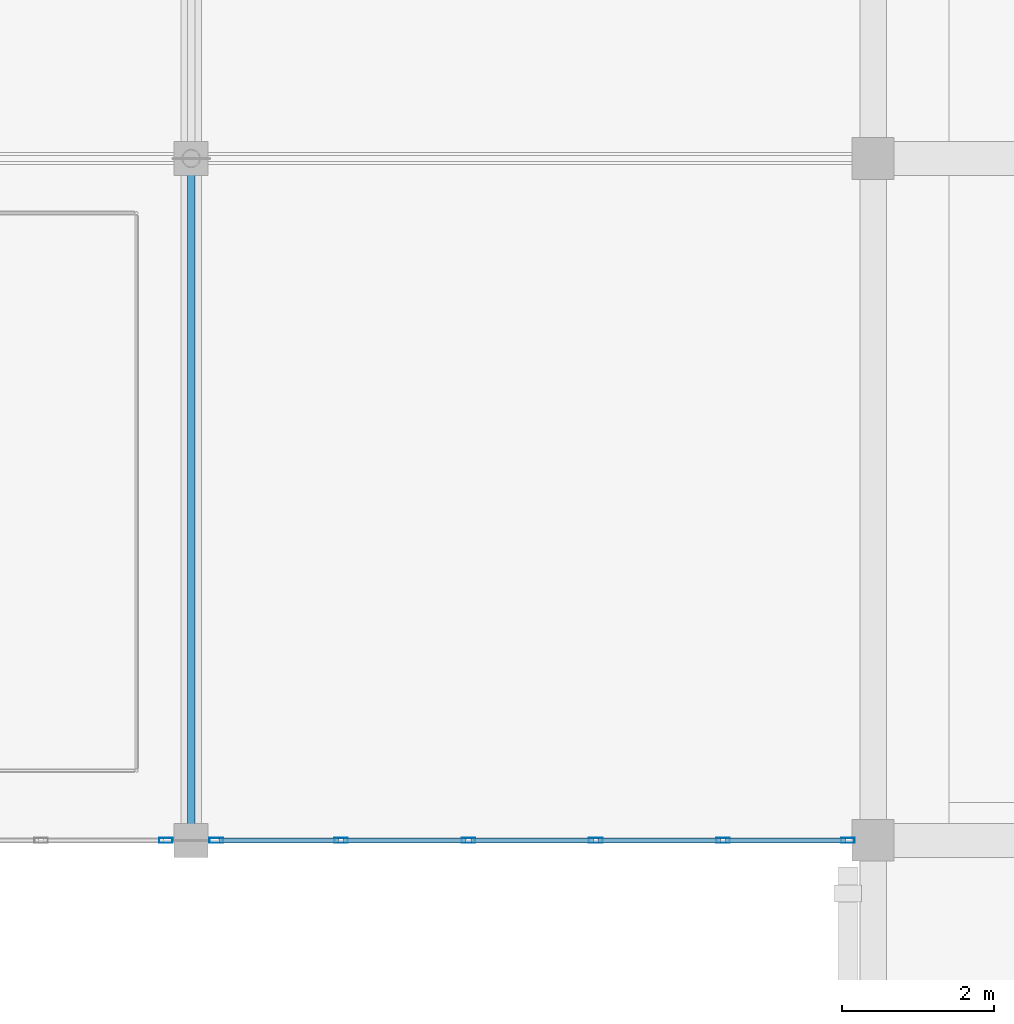
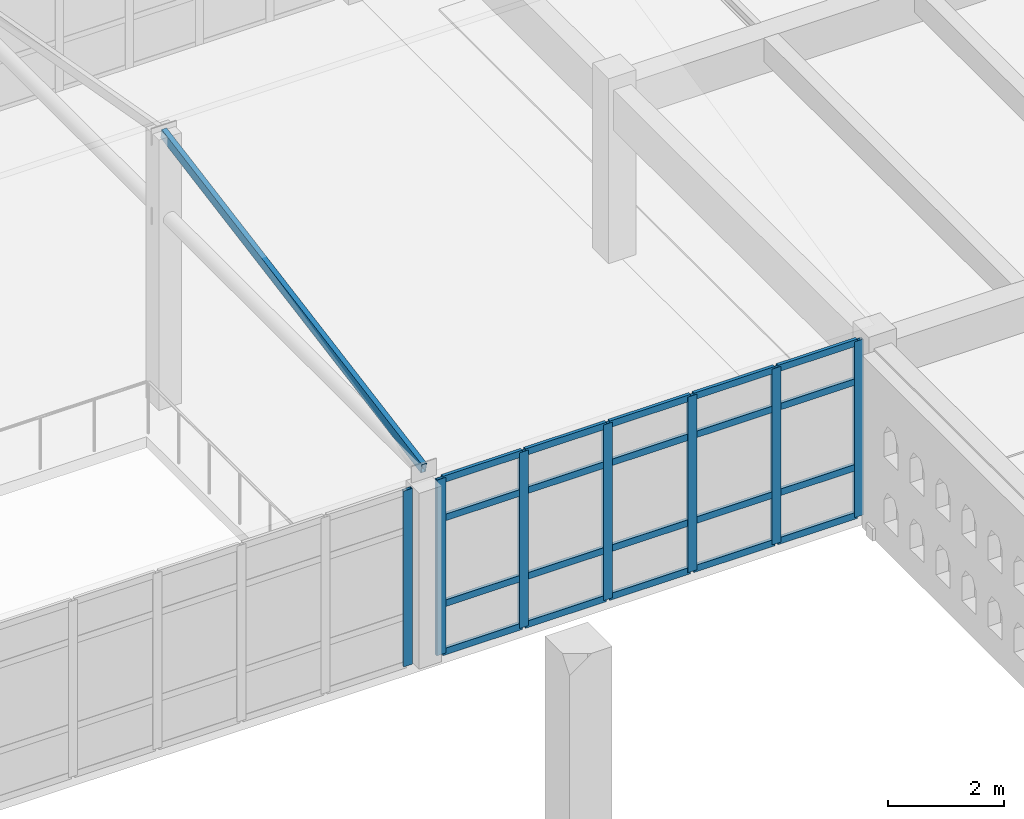
# One storey, part 94 of 156: 28 members, 2 elements without a shape of their own.
"""IFC4 building model written with IfcOpenShell, lengths in metres."""

from ifc_helpers import new_model, si_unit, direction, frame, origin, origin_2d, place, context, subcontext, project, spatial, hollow_rectangle, extrude, material, layer, layer_set, material_profile, profile_set, type_object, element, aggregate, save


model = new_model("IFC4")

# Units and contexts
model_context = context("Model", 3, precision=1e-05, world=origin(), true_north=direction((0.0, 1.0)))
body_context = subcontext(model_context, "Body", "Model", "MODEL_VIEW")
ifc_project = project(units=[si_unit("LENGTHUNIT", "METRE"), si_unit("AREAUNIT", "SQUARE_METRE"), si_unit("VOLUMEUNIT", "CUBIC_METRE"), si_unit("PLANEANGLEUNIT", "RADIAN"), si_unit("MASSUNIT", "GRAM", prefix="KILO")], contexts=[model_context])

# Site, building, storey
site_placement = place(None, origin())
site = spatial("IfcSite", under=ifc_project, at=site_placement, CompositionType="ELEMENT")
building_placement = place(site_placement, origin())
building = spatial("IfcBuilding", under=site, at=building_placement, Name="Ornek Quay Market", CompositionType="ELEMENT")
storey_placement = place(building_placement, frame((0.0, 0.0, 4.5)))
storey = spatial("IfcBuildingStorey", under=building, at=storey_placement, Name="L01", CompositionType="ELEMENT", Elevation=4.5)

# Curtain wall, member
ifc_material_1 = material(Name="Anodised bronze aluminium and triple low-e glass", Category="aluminium")
ifc_layer = layer(ifc_material_1, 0.199951171875, Name="Anodised bronze aluminium and triple low-e glass", Category="aluminium")
ifc_layer_set = layer_set([ifc_layer], Name="Anodised bronze aluminium and triple low-e glass")
curtain_wall_type = type_object("IfcCurtainWallType", Name="CW-CONC-MOD1800", PredefinedType="USERDEFINED", material=ifc_layer_set)
curtain_wall_1_placement = place(storey_placement, origin())
curtain_wall_1 = element("IfcCurtainWall", 1, at=curtain_wall_1_placement, inside=storey, type_object=curtain_wall_type, Name="Curtain wall CW-038", ObjectType="CURTAIN WALL", PredefinedType="USERDEFINED")
ifc_material_2 = material(Name="Anodised aluminium 6063-T6", Category="aluminium")
ifc_material_profile_1 = material_profile(ifc_material_2, hollow_rectangle(XDim=0.06494140625, YDim=0.179931640625, WallThickness=0.00439453125, at=origin_2d()), Name="CW-MUL-65x180", Category="aluminium")
ifc_profile_set_1 = profile_set([ifc_material_profile_1], Name="Anodised aluminium 6063-T6")
member_type_1 = type_object("IfcMemberType", Name="CW-MUL-65x180", PredefinedType="MULLION", material=ifc_profile_set_1)
member_1_placement = place(storey_placement, frame((143.66748046875, 92.0, 0.0), z_axis=(0.0, 0.0, 1.0), x_axis=(0.0, 1.0, 0.0)))
member_1 = element("IfcMember", 2, at=member_1_placement, type_object=member_type_1, Name="CW-038 mullion 6", PredefinedType="MULLION", context=body_context, shape_type="SweptSolid", body=[
    extrude(hollow_rectangle(XDim=0.06494140625, YDim=0.179931640625, WallThickness=0.00439453125, at=origin_2d()), origin(), (0.0, 0.0, 1.0), 3.7099609375),
])
aggregate(curtain_wall_1, [member_1])

# Curtain wall, members
curtain_wall_2_placement = place(storey_placement, origin())
curtain_wall_2 = element("IfcCurtainWall", 3, at=curtain_wall_2_placement, inside=storey, type_object=curtain_wall_type, Name="Curtain wall CW-042", ObjectType="CURTAIN WALL", PredefinedType="USERDEFINED")
member_2_placement = place(storey_placement, frame((144.33251953125, 92.0, 0.0), z_axis=(0.0, 0.0, 1.0), x_axis=(0.0, 1.0, 0.0)))
member_2 = element("IfcMember", 4, at=member_2_placement, type_object=member_type_1, Name="CW-042 mullion 1", PredefinedType="MULLION", context=body_context, shape_type="SweptSolid", body=[
    extrude(hollow_rectangle(XDim=0.06494140625, YDim=0.179931640625, WallThickness=0.00439453125, at=origin_2d()), origin(), (0.0, 0.0, 1.0), 3.7099609375),
])
member_3_placement = place(storey_placement, frame((145.97998046875, 92.0, 0.0), z_axis=(0.0, 0.0, 1.0), x_axis=(0.0, 1.0, 0.0)))
member_3 = element("IfcMember", 5, at=member_3_placement, type_object=member_type_1, Name="CW-042 mullion 2", PredefinedType="MULLION", context=body_context, shape_type="SweptSolid", body=[
    extrude(hollow_rectangle(XDim=0.06494140625, YDim=0.179931640625, WallThickness=0.00439453125, at=origin_2d()), origin(), (0.0, 0.0, 1.0), 3.7099609375),
])
member_4_placement = place(storey_placement, frame((147.659912109375, 92.0, 0.0), z_axis=(0.0, 0.0, 1.0), x_axis=(0.0, 1.0, 0.0)))
member_4 = element("IfcMember", 6, at=member_4_placement, type_object=member_type_1, Name="CW-042 mullion 3", PredefinedType="MULLION", context=body_context, shape_type="SweptSolid", body=[
    extrude(hollow_rectangle(XDim=0.06494140625, YDim=0.179931640625, WallThickness=0.00439453125, at=origin_2d()), origin(), (0.0, 0.0, 1.0), 3.7099609375),
])
member_5_placement = place(storey_placement, frame((149.340087890625, 92.0, 0.0), z_axis=(0.0, 0.0, 1.0), x_axis=(0.0, 1.0, 0.0)))
member_5 = element("IfcMember", 7, at=member_5_placement, type_object=member_type_1, Name="CW-042 mullion 4", PredefinedType="MULLION", context=body_context, shape_type="SweptSolid", body=[
    extrude(hollow_rectangle(XDim=0.06494140625, YDim=0.179931640625, WallThickness=0.00439453125, at=origin_2d()), origin(), (0.0, 0.0, 1.0), 3.7099609375),
])
member_6_placement = place(storey_placement, frame((151.02001953125, 92.0, 0.0), z_axis=(0.0, 0.0, 1.0), x_axis=(0.0, 1.0, 0.0)))
member_6 = element("IfcMember", 8, at=member_6_placement, type_object=member_type_1, Name="CW-042 mullion 5", PredefinedType="MULLION", context=body_context, shape_type="SweptSolid", body=[
    extrude(hollow_rectangle(XDim=0.06494140625, YDim=0.179931640625, WallThickness=0.00439453125, at=origin_2d()), origin(), (0.0, 0.0, 1.0), 3.7099609375),
])
member_7_placement = place(storey_placement, frame((152.66748046875, 92.0, 0.0), z_axis=(0.0, 0.0, 1.0), x_axis=(0.0, 1.0, 0.0)))
member_7 = element("IfcMember", 9, at=member_7_placement, type_object=member_type_1, Name="CW-042 mullion 6", PredefinedType="MULLION", context=body_context, shape_type="SweptSolid", body=[
    extrude(hollow_rectangle(XDim=0.06494140625, YDim=0.179931640625, WallThickness=0.00439453125, at=origin_2d()), origin(), (0.0, 0.0, 1.0), 3.7099609375),
])
ifc_material_profile_2 = material_profile(ifc_material_2, hollow_rectangle(XDim=0.06494140625, YDim=0.139892578125, WallThickness=0.00439453125, at=origin_2d()), Name="CW-TRN-65x140", Category="aluminium")
ifc_profile_set_2 = profile_set([ifc_material_profile_2], Name="Anodised aluminium 6063-T6")
member_type_2 = type_object("IfcMemberType", Name="CW-TRN-65x140", PredefinedType="USERDEFINED", material=ifc_profile_set_2)
member_8_placement = place(storey_placement, frame((144.364990234375, 92.0, 0.032470703125), z_axis=(1.0, 0.0, 0.0), x_axis=(0.0, 1.0, 0.0)))
member_8 = element("IfcMember", 10, at=member_8_placement, type_object=member_type_2, Name="CW-042 transom 1.1", ObjectType="TRANSOM", PredefinedType="USERDEFINED", context=body_context, shape_type="SweptSolid", body=[
    extrude(hollow_rectangle(XDim=0.06494140625, YDim=0.139892578125, WallThickness=0.00439453125, at=origin_2d()), origin(), (0.0, 0.0, 1.0), 1.58251953125),
])
member_9_placement = place(storey_placement, frame((144.364990234375, 92.0, 1.050048828125), z_axis=(1.0, 0.0, 0.0), x_axis=(0.0, 1.0, 0.0)))
member_9 = element("IfcMember", 11, at=member_9_placement, type_object=member_type_2, Name="CW-042 transom 1.2", ObjectType="TRANSOM", PredefinedType="USERDEFINED", context=body_context, shape_type="SweptSolid", body=[
    extrude(hollow_rectangle(XDim=0.06494140625, YDim=0.139892578125, WallThickness=0.00439453125, at=origin_2d()), origin(), (0.0, 0.0, 1.0), 1.58251953125),
])
member_10_placement = place(storey_placement, frame((144.364990234375, 92.0, 2.860107421875), z_axis=(1.0, 0.0, 0.0), x_axis=(0.0, 1.0, 0.0)))
member_10 = element("IfcMember", 12, at=member_10_placement, type_object=member_type_2, Name="CW-042 transom 1.3", ObjectType="TRANSOM", PredefinedType="USERDEFINED", context=body_context, shape_type="SweptSolid", body=[
    extrude(hollow_rectangle(XDim=0.06494140625, YDim=0.139892578125, WallThickness=0.00439453125, at=origin_2d()), origin(), (0.0, 0.0, 1.0), 1.58251953125),
])
member_11_placement = place(storey_placement, frame((144.364990234375, 92.0, 3.677490234375), z_axis=(1.0, 0.0, 0.0), x_axis=(0.0, 1.0, 0.0)))
member_11 = element("IfcMember", 13, at=member_11_placement, type_object=member_type_2, Name="CW-042 transom 1.4", ObjectType="TRANSOM", PredefinedType="USERDEFINED", context=body_context, shape_type="SweptSolid", body=[
    extrude(hollow_rectangle(XDim=0.06494140625, YDim=0.139892578125, WallThickness=0.00439453125, at=origin_2d()), origin(), (0.0, 0.0, 1.0), 1.58251953125),
])
member_12_placement = place(storey_placement, frame((146.012451171875, 92.0, 0.032470703125), z_axis=(1.0, 0.0, 0.0), x_axis=(0.0, 1.0, 0.0)))
member_12 = element("IfcMember", 14, at=member_12_placement, type_object=member_type_2, Name="CW-042 transom 2.1", ObjectType="TRANSOM", PredefinedType="USERDEFINED", context=body_context, shape_type="SweptSolid", body=[
    extrude(hollow_rectangle(XDim=0.06494140625, YDim=0.139892578125, WallThickness=0.00439453125, at=origin_2d()), origin(), (0.0, 0.0, 1.0), 1.614990234375),
])
member_13_placement = place(storey_placement, frame((146.012451171875, 92.0, 1.050048828125), z_axis=(1.0, 0.0, 0.0), x_axis=(0.0, 1.0, 0.0)))
member_13 = element("IfcMember", 15, at=member_13_placement, type_object=member_type_2, Name="CW-042 transom 2.2", ObjectType="TRANSOM", PredefinedType="USERDEFINED", context=body_context, shape_type="SweptSolid", body=[
    extrude(hollow_rectangle(XDim=0.06494140625, YDim=0.139892578125, WallThickness=0.00439453125, at=origin_2d()), origin(), (0.0, 0.0, 1.0), 1.614990234375),
])
member_14_placement = place(storey_placement, frame((146.012451171875, 92.0, 2.860107421875), z_axis=(1.0, 0.0, 0.0), x_axis=(0.0, 1.0, 0.0)))
member_14 = element("IfcMember", 16, at=member_14_placement, type_object=member_type_2, Name="CW-042 transom 2.3", ObjectType="TRANSOM", PredefinedType="USERDEFINED", context=body_context, shape_type="SweptSolid", body=[
    extrude(hollow_rectangle(XDim=0.06494140625, YDim=0.139892578125, WallThickness=0.00439453125, at=origin_2d()), origin(), (0.0, 0.0, 1.0), 1.614990234375),
])
member_15_placement = place(storey_placement, frame((146.012451171875, 92.0, 3.677490234375), z_axis=(1.0, 0.0, 0.0), x_axis=(0.0, 1.0, 0.0)))
member_15 = element("IfcMember", 17, at=member_15_placement, type_object=member_type_2, Name="CW-042 transom 2.4", ObjectType="TRANSOM", PredefinedType="USERDEFINED", context=body_context, shape_type="SweptSolid", body=[
    extrude(hollow_rectangle(XDim=0.06494140625, YDim=0.139892578125, WallThickness=0.00439453125, at=origin_2d()), origin(), (0.0, 0.0, 1.0), 1.614990234375),
])
member_16_placement = place(storey_placement, frame((147.6923828125, 92.0, 0.032470703125), z_axis=(1.0, 0.0, 0.0), x_axis=(0.0, 1.0, 0.0)))
member_16 = element("IfcMember", 18, at=member_16_placement, type_object=member_type_2, Name="CW-042 transom 3.1", ObjectType="TRANSOM", PredefinedType="USERDEFINED", context=body_context, shape_type="SweptSolid", body=[
    extrude(hollow_rectangle(XDim=0.06494140625, YDim=0.139892578125, WallThickness=0.00439453125, at=origin_2d()), origin(), (0.0, 0.0, 1.0), 1.615234375),
])
member_17_placement = place(storey_placement, frame((147.6923828125, 92.0, 1.050048828125), z_axis=(1.0, 0.0, 0.0), x_axis=(0.0, 1.0, 0.0)))
member_17 = element("IfcMember", 19, at=member_17_placement, type_object=member_type_2, Name="CW-042 transom 3.2", ObjectType="TRANSOM", PredefinedType="USERDEFINED", context=body_context, shape_type="SweptSolid", body=[
    extrude(hollow_rectangle(XDim=0.06494140625, YDim=0.139892578125, WallThickness=0.00439453125, at=origin_2d()), origin(), (0.0, 0.0, 1.0), 1.615234375),
])
member_18_placement = place(storey_placement, frame((147.6923828125, 92.0, 2.860107421875), z_axis=(1.0, 0.0, 0.0), x_axis=(0.0, 1.0, 0.0)))
member_18 = element("IfcMember", 20, at=member_18_placement, type_object=member_type_2, Name="CW-042 transom 3.3", ObjectType="TRANSOM", PredefinedType="USERDEFINED", context=body_context, shape_type="SweptSolid", body=[
    extrude(hollow_rectangle(XDim=0.06494140625, YDim=0.139892578125, WallThickness=0.00439453125, at=origin_2d()), origin(), (0.0, 0.0, 1.0), 1.615234375),
])
member_19_placement = place(storey_placement, frame((147.6923828125, 92.0, 3.677490234375), z_axis=(1.0, 0.0, 0.0), x_axis=(0.0, 1.0, 0.0)))
member_19 = element("IfcMember", 21, at=member_19_placement, type_object=member_type_2, Name="CW-042 transom 3.4", ObjectType="TRANSOM", PredefinedType="USERDEFINED", context=body_context, shape_type="SweptSolid", body=[
    extrude(hollow_rectangle(XDim=0.06494140625, YDim=0.139892578125, WallThickness=0.00439453125, at=origin_2d()), origin(), (0.0, 0.0, 1.0), 1.615234375),
])
member_20_placement = place(storey_placement, frame((149.37255859375, 92.0, 0.032470703125), z_axis=(1.0, 0.0, 0.0), x_axis=(0.0, 1.0, 0.0)))
member_20 = element("IfcMember", 22, at=member_20_placement, type_object=member_type_2, Name="CW-042 transom 4.1", ObjectType="TRANSOM", PredefinedType="USERDEFINED", context=body_context, shape_type="SweptSolid", body=[
    extrude(hollow_rectangle(XDim=0.06494140625, YDim=0.139892578125, WallThickness=0.00439453125, at=origin_2d()), origin(), (0.0, 0.0, 1.0), 1.614990234375),
])
member_21_placement = place(storey_placement, frame((149.37255859375, 92.0, 1.050048828125), z_axis=(1.0, 0.0, 0.0), x_axis=(0.0, 1.0, 0.0)))
member_21 = element("IfcMember", 23, at=member_21_placement, type_object=member_type_2, Name="CW-042 transom 4.2", ObjectType="TRANSOM", PredefinedType="USERDEFINED", context=body_context, shape_type="SweptSolid", body=[
    extrude(hollow_rectangle(XDim=0.06494140625, YDim=0.139892578125, WallThickness=0.00439453125, at=origin_2d()), origin(), (0.0, 0.0, 1.0), 1.614990234375),
])
member_22_placement = place(storey_placement, frame((149.37255859375, 92.0, 2.860107421875), z_axis=(1.0, 0.0, 0.0), x_axis=(0.0, 1.0, 0.0)))
member_22 = element("IfcMember", 24, at=member_22_placement, type_object=member_type_2, Name="CW-042 transom 4.3", ObjectType="TRANSOM", PredefinedType="USERDEFINED", context=body_context, shape_type="SweptSolid", body=[
    extrude(hollow_rectangle(XDim=0.06494140625, YDim=0.139892578125, WallThickness=0.00439453125, at=origin_2d()), origin(), (0.0, 0.0, 1.0), 1.614990234375),
])
member_23_placement = place(storey_placement, frame((149.37255859375, 92.0, 3.677490234375), z_axis=(1.0, 0.0, 0.0), x_axis=(0.0, 1.0, 0.0)))
member_23 = element("IfcMember", 25, at=member_23_placement, type_object=member_type_2, Name="CW-042 transom 4.4", ObjectType="TRANSOM", PredefinedType="USERDEFINED", context=body_context, shape_type="SweptSolid", body=[
    extrude(hollow_rectangle(XDim=0.06494140625, YDim=0.139892578125, WallThickness=0.00439453125, at=origin_2d()), origin(), (0.0, 0.0, 1.0), 1.614990234375),
])
member_24_placement = place(storey_placement, frame((151.052490234375, 92.0, 0.032470703125), z_axis=(1.0, 0.0, 0.0), x_axis=(0.0, 1.0, 0.0)))
member_24 = element("IfcMember", 26, at=member_24_placement, type_object=member_type_2, Name="CW-042 transom 5.1", ObjectType="TRANSOM", PredefinedType="USERDEFINED", context=body_context, shape_type="SweptSolid", body=[
    extrude(hollow_rectangle(XDim=0.06494140625, YDim=0.139892578125, WallThickness=0.00439453125, at=origin_2d()), origin(), (0.0, 0.0, 1.0), 1.58251953125),
])
member_25_placement = place(storey_placement, frame((151.052490234375, 92.0, 1.050048828125), z_axis=(1.0, 0.0, 0.0), x_axis=(0.0, 1.0, 0.0)))
member_25 = element("IfcMember", 27, at=member_25_placement, type_object=member_type_2, Name="CW-042 transom 5.2", ObjectType="TRANSOM", PredefinedType="USERDEFINED", context=body_context, shape_type="SweptSolid", body=[
    extrude(hollow_rectangle(XDim=0.06494140625, YDim=0.139892578125, WallThickness=0.00439453125, at=origin_2d()), origin(), (0.0, 0.0, 1.0), 1.58251953125),
])
member_26_placement = place(storey_placement, frame((151.052490234375, 92.0, 2.860107421875), z_axis=(1.0, 0.0, 0.0), x_axis=(0.0, 1.0, 0.0)))
member_26 = element("IfcMember", 28, at=member_26_placement, type_object=member_type_2, Name="CW-042 transom 5.3", ObjectType="TRANSOM", PredefinedType="USERDEFINED", context=body_context, shape_type="SweptSolid", body=[
    extrude(hollow_rectangle(XDim=0.06494140625, YDim=0.139892578125, WallThickness=0.00439453125, at=origin_2d()), origin(), (0.0, 0.0, 1.0), 1.58251953125),
])
member_27_placement = place(storey_placement, frame((151.052490234375, 92.0, 3.677490234375), z_axis=(1.0, 0.0, 0.0), x_axis=(0.0, 1.0, 0.0)))
member_27 = element("IfcMember", 29, at=member_27_placement, type_object=member_type_2, Name="CW-042 transom 5.4", ObjectType="TRANSOM", PredefinedType="USERDEFINED", context=body_context, shape_type="SweptSolid", body=[
    extrude(hollow_rectangle(XDim=0.06494140625, YDim=0.139892578125, WallThickness=0.00439453125, at=origin_2d()), origin(), (0.0, 0.0, 1.0), 1.58251953125),
])
aggregate(curtain_wall_2, [member_2, member_3, member_4, member_5, member_6, member_7, member_8, member_9, member_10, member_11, member_12, member_13, member_14, member_15, member_16, member_17, member_18, member_19, member_20, member_21, member_22, member_23, member_24, member_25, member_26, member_27])

# Member
ifc_material_3 = material(Name="Steel S355", Category="steel")
ifc_material_profile_3 = material_profile(ifc_material_3, hollow_rectangle(XDim=0.10009765625, YDim=0.199951171875, WallThickness=0.008056640625, at=origin_2d()), Name="MBR-RAF-100x200", Category="steel")
ifc_profile_set_3 = profile_set([ifc_material_profile_3], Name="Steel S355")
member_type_3 = type_object("IfcMemberType", Name="MBR-RAF-100x200", PredefinedType="RAFTER", material=ifc_profile_set_3)
member_28_placement = place(storey_placement, frame((144.0, 92.0, 4.030029296875), z_axis=(0.0, 0.984185744367, 0.177139551158), x_axis=(-1.0, 0.0, 0.0)))
element("IfcMember", 30, at=member_28_placement, inside=storey, type_object=member_type_3, Name="Concourse skylight rafter E-144-S", PredefinedType="RAFTER", context=body_context, shape_type="SweptSolid", body=[
    extrude(hollow_rectangle(XDim=0.10009765625, YDim=0.199951171875, WallThickness=0.008056640625, at=origin_2d()), origin(), (0.0, 0.0, 1.0), 9.14453125),
])

save(model, "model.ifc")
